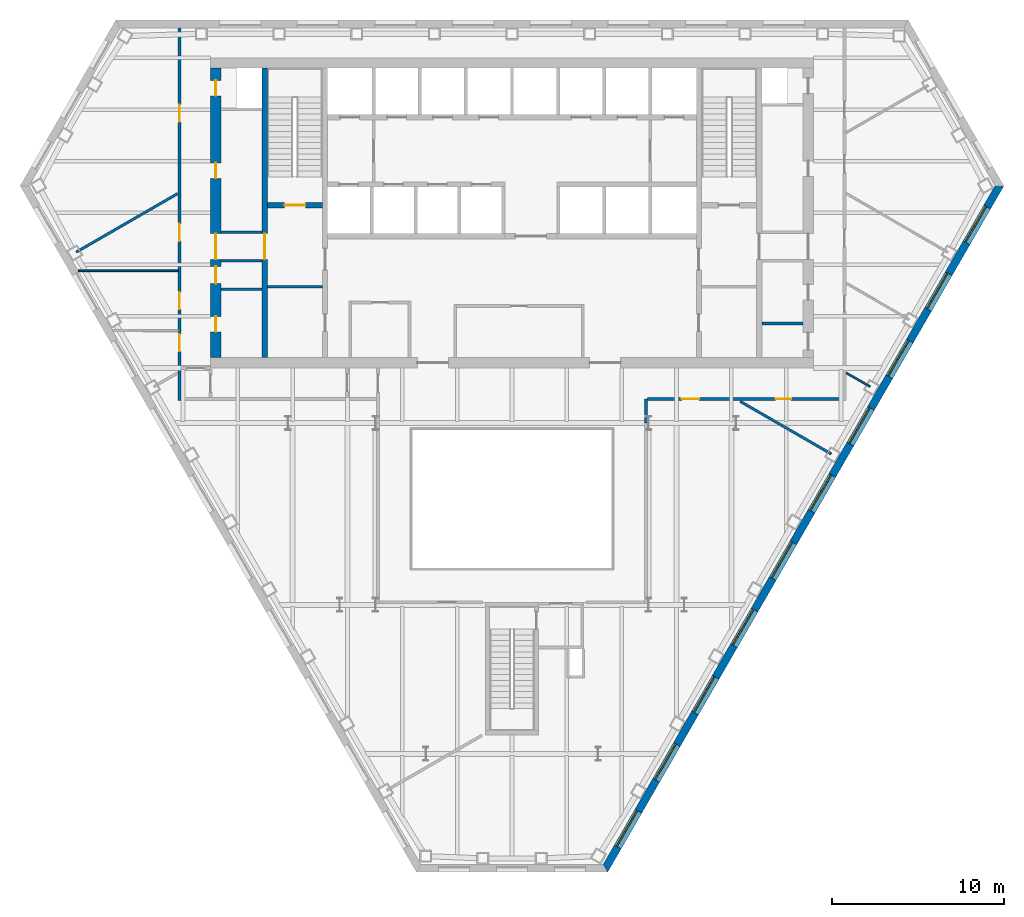
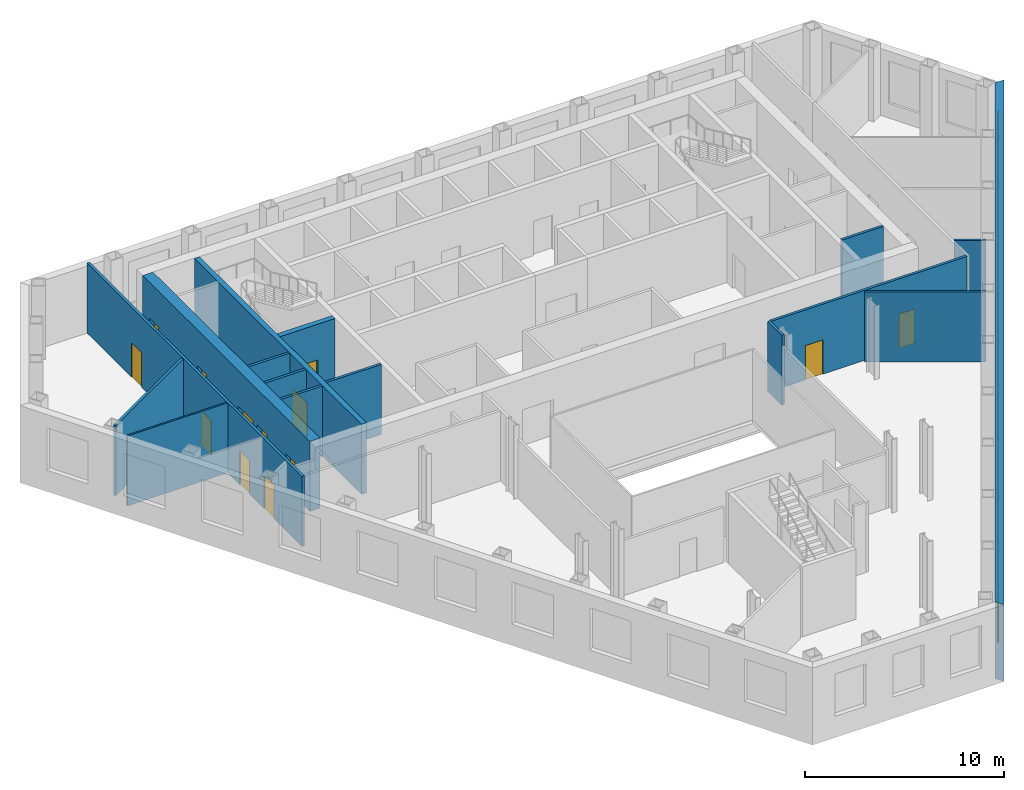
# One storey, part 5 of 11: 16 walls, 13 doors, 10 windows, 23 openings.
"""IFC4 building model written with IfcOpenShell, lengths in metres."""

from ifc_helpers import new_model, si_unit, direction, frame, frame_2d, origin, place, context, subcontext, project, spatial, polyline, rectangle, outline, extrude, material, layer, layer_set, type_object, element, fill, save


model = new_model("IFC4")

# Units and contexts
model_context = context("Model", 3, precision=1e-05, world=origin(), true_north=direction((0.0, 1.0)))
body_context = subcontext(model_context, "Body", "Model", "MODEL_VIEW")
ifc_project = project(units=[si_unit("LENGTHUNIT", "METRE"), si_unit("AREAUNIT", "SQUARE_METRE"), si_unit("VOLUMEUNIT", "CUBIC_METRE"), si_unit("PLANEANGLEUNIT", "RADIAN"), si_unit("MASSUNIT", "GRAM", prefix="KILO")], contexts=[model_context])

# Site, building, storey
site_placement = place(None, origin())
site = spatial("IfcSite", under=ifc_project, at=site_placement, CompositionType="ELEMENT")
building_placement = place(site_placement, origin())
building = spatial("IfcBuilding", under=site, at=building_placement, Name="Njiva Tower", CompositionType="ELEMENT")
storey_placement = place(building_placement, frame((0.0, 0.0, 64.8)))
storey = spatial("IfcBuildingStorey", under=building, at=storey_placement, Name="L13", CompositionType="ELEMENT", Elevation=64.8)

# Walls
ifc_material_1 = material(Name="Blockwork", Category="masonry")
ifc_layer_1 = layer(ifc_material_1, 0.15)
ifc_layer_set_1 = layer_set([ifc_layer_1], Name="Blockwork")
wall_type_1 = type_object("IfcWallType", Name="WT1 Compartment partition 150", PredefinedType="PARTITIONING", material=ifc_layer_set_1)
wall_1_placement = place(storey_placement, frame((-14.2, 4.725, 0.0), z_axis=(0.0, 0.0, 1.0), x_axis=(1.0, 0.0, 0.0)))
element("IfcWall", 1, at=wall_1_placement, inside=storey, type_object=wall_type_1, Name="Room wall A", PredefinedType="PARTITIONING", context=body_context, shape_type="SweptSolid", body=[
    extrude(rectangle(XDim=3.2, YDim=0.15, at=frame_2d((1.6, 0.0))), origin(), (0.0, 0.0, 1.0), 4.3),
])
for number, where, z_axis, x_axis, name in (
    (2, (-16.9, 4.575, 0.0), (0.0, 0.0, 1.0), (1.0, 0.0, 0.0), "Partition strip W00"),
    (3, (14.5, 2.5835, 0.0), (0.0, 0.0, 1.0), (1.0, 0.0, 0.0), "Partition strip E00"),
):
    element("IfcWall", number, at=place(storey_placement, frame(where, z_axis=z_axis, x_axis=x_axis)), inside=storey, type_object=wall_type_1, Name=name, PredefinedType="PARTITIONING", context=body_context, shape_type="SweptSolid", body=[
        extrude(rectangle(XDim=2.4, YDim=0.15, at=frame_2d((1.2, 0.0))), origin(), (0.0, 0.0, 1.0), 4.3),
    ])

# Wall, opening, door
ifc_material_2 = material(Name="Concrete C40/50", Category="concrete")
ifc_layer_2 = layer(ifc_material_2, 0.3)
ifc_layer_set_2 = layer_set([ifc_layer_2], Name="Concrete C40/50")
wall_type_2 = type_object("IfcWallType", Name="WT10 Stair enclosure wall 300", PredefinedType="SHEAR", material=ifc_layer_set_2)
wall_2_placement = place(storey_placement, frame((-14.35, 0.6, 0.0), z_axis=(0.0, 0.0, 1.0), x_axis=(0.0, 1.0, 0.0)))
wall_2 = element("IfcWall", 4, at=wall_2_placement, inside=storey, type_object=wall_type_2, Name="Stair wall west outer", PredefinedType="SHEAR", context=body_context, shape_type="SweptSolid", body=[
    extrude(rectangle(XDim=16.8, YDim=0.3, at=frame_2d((8.4, 0.0))), origin(), (0.0, 0.0, 1.0), 4.3),
])
opening_1_placement = place(wall_2_placement, frame((5.7, 0.0, 0.0)))
opening_1 = element("IfcOpeningElement", 5, at=opening_1_placement, cuts=wall_2, Name="Opening S04-D920", PredefinedType="OPENING", context=body_context, shape_type="SweptSolid", body=[
    extrude(rectangle(XDim=1.5, YDim=2.1, at=frame_2d((0.75, 1.05))), frame((0.0, 0.16, 0.0), z_axis=(0.0, -1.0, 0.0), x_axis=(1.0, 0.0, 0.0)), (0.0, 0.0, 1.0), 0.32),
])
ifc_material_3 = material(Name="Glazed steel fire door", Category="steel")
door_type_1 = type_object("IfcDoorType", Name="D10 Exit door double 1500x2100 glazed", OperationType="DOUBLE_DOOR_SINGLE_SWING", PredefinedType="DOOR", material=ifc_material_3)
door_1_placement = place(opening_1_placement, origin())
door_1 = element("IfcDoor", 6, at=door_1_placement, inside=storey, type_object=door_type_1, Name="Stair A passage door", OperationType="DOUBLE_DOOR_SINGLE_SWING", OverallHeight=2.1, OverallWidth=1.5, PredefinedType="DOOR", context=body_context, shape_type="SweptSolid", body=[
    extrude(rectangle(XDim=1.5, YDim=2.1, at=frame_2d((0.75, 1.05))), frame((0.0, 0.025, 0.0), z_axis=(0.0, -1.0, 0.0), x_axis=(1.0, 0.0, 0.0)), (0.0, 0.0, 1.0), 0.05),
])
fill(opening_1, door_1)

wall_3_placement = place(storey_placement, frame((-14.2, 9.45, 0.0), z_axis=(0.0, 0.0, 1.0), x_axis=(1.0, 0.0, 0.0)))
wall_3 = element("IfcWall", 7, at=wall_3_placement, inside=storey, type_object=wall_type_2, Name="Stair A south wall", PredefinedType="SHEAR", context=body_context, shape_type="SweptSolid", body=[
    extrude(rectangle(XDim=3.2, YDim=0.3, at=frame_2d((1.6, 0.0))), origin(), (0.0, 0.0, 1.0), 4.3),
])
opening_2_placement = place(wall_3_placement, frame((1.0, 0.0, 0.0)))
opening_2 = element("IfcOpeningElement", 8, at=opening_2_placement, cuts=wall_3, Name="Opening S04-D913", PredefinedType="OPENING", context=body_context, shape_type="SweptSolid", body=[
    extrude(rectangle(XDim=1.2, YDim=2.1, at=frame_2d((0.6, 1.05))), frame((0.0, 0.16, 0.0), z_axis=(0.0, -1.0, 0.0), x_axis=(1.0, 0.0, 0.0)), (0.0, 0.0, 1.0), 0.32),
])
door_type_2 = type_object("IfcDoorType", Name="D7 Stair vestibule door 1200x2100 glazed", OperationType="SINGLE_SWING_LEFT", PredefinedType="DOOR", material=ifc_material_3)
door_2_placement = place(opening_2_placement, origin())
door_2 = element("IfcDoor", 9, at=door_2_placement, inside=storey, type_object=door_type_2, Name="Stair A door", OperationType="SINGLE_SWING_LEFT", OverallHeight=2.1, OverallWidth=1.2, PredefinedType="DOOR", context=body_context, shape_type="SweptSolid", body=[
    extrude(rectangle(XDim=1.2, YDim=2.1, at=frame_2d((0.6, 1.05))), frame((0.0, 0.025, 0.0), z_axis=(0.0, -1.0, 0.0), x_axis=(1.0, 0.0, 0.0)), (0.0, 0.0, 1.0), 0.05),
])
fill(opening_2, door_2)

# Wall, openings, doors
ifc_material_4 = material(Name="Concrete C60/75", Category="concrete")
ifc_layer_3 = layer(ifc_material_4, 0.6)
ifc_layer_set_3 = layer_set([ifc_layer_3], Name="Concrete C60/75")
wall_type_3 = type_object("IfcWallType", Name="WT15 Core wall 600", PredefinedType="SHEAR", material=ifc_layer_set_3)
wall_4_placement = place(storey_placement, frame((-17.2, 0.6, 0.0), z_axis=(0.0, 0.0, 1.0), x_axis=(0.0, 1.0, 0.0)))
wall_4 = element("IfcWall", 10, at=wall_4_placement, inside=storey, type_object=wall_type_3, Name="Core wall west", PredefinedType="SHEAR", context=body_context, shape_type="SweptSolid", body=[
    extrude(rectangle(XDim=16.8, YDim=0.6, at=frame_2d((8.4, 0.0))), origin(), (0.0, 0.0, 1.0), 4.3),
])
opening_3_placement = place(wall_4_placement, frame((5.7, 0.0, 0.0)))
opening_3 = element("IfcOpeningElement", 11, at=opening_3_placement, cuts=wall_4, Name="Opening S04-D921", PredefinedType="OPENING", context=body_context, shape_type="SweptSolid", body=[
    extrude(rectangle(XDim=1.5, YDim=2.1, at=frame_2d((0.75, 1.05))), frame((0.0, 0.31, 0.0), z_axis=(0.0, -1.0, 0.0), x_axis=(1.0, 0.0, 0.0)), (0.0, 0.0, 1.0), 0.62),
])
opening_4_placement = place(wall_4_placement, frame((1.5, 0.0, 0.0)))
opening_4 = element("IfcOpeningElement", 12, at=opening_4_placement, cuts=wall_4, Name="Opening S04-D922", PredefinedType="OPENING", context=body_context, shape_type="SweptSolid", body=[
    extrude(rectangle(XDim=0.9, YDim=2.1, at=frame_2d((0.45, 1.05))), frame((0.0, 0.31, 0.0), z_axis=(0.0, -1.0, 0.0), x_axis=(1.0, 0.0, 0.0)), (0.0, 0.0, 1.0), 0.62),
])
opening_5_placement = place(wall_4_placement, frame((4.3, 0.0, 0.0)))
opening_5 = element("IfcOpeningElement", 13, at=opening_5_placement, cuts=wall_4, Name="Opening S04-D923", PredefinedType="OPENING", context=body_context, shape_type="SweptSolid", body=[
    extrude(rectangle(XDim=1.0, YDim=2.1, at=frame_2d((0.5, 1.05))), frame((0.0, 0.31, 0.0), z_axis=(0.0, -1.0, 0.0), x_axis=(1.0, 0.0, 0.0)), (0.0, 0.0, 1.0), 0.62),
])
opening_6_placement = place(wall_4_placement, frame((10.4017, 0.0, 0.0)))
opening_6 = element("IfcOpeningElement", 14, at=opening_6_placement, cuts=wall_4, Name="Opening S04-D924", PredefinedType="OPENING", context=body_context, shape_type="SweptSolid", body=[
    extrude(rectangle(XDim=0.9, YDim=2.1, at=frame_2d((0.45, 1.05))), frame((0.0, 0.31, 0.0), z_axis=(0.0, -1.0, 0.0), x_axis=(1.0, 0.0, 0.0)), (0.0, 0.0, 1.0), 0.62),
])
opening_7_placement = place(wall_4_placement, frame((15.2017, 0.0, 0.0)))
opening_7 = element("IfcOpeningElement", 15, at=opening_7_placement, cuts=wall_4, Name="Opening S04-D925", PredefinedType="OPENING", context=body_context, shape_type="SweptSolid", body=[
    extrude(rectangle(XDim=0.9, YDim=2.1, at=frame_2d((0.45, 1.05))), frame((0.0, 0.31, 0.0), z_axis=(0.0, -1.0, 0.0), x_axis=(1.0, 0.0, 0.0)), (0.0, 0.0, 1.0), 0.62),
])
door_3_placement = place(opening_3_placement, origin())
door_3 = element("IfcDoor", 16, at=door_3_placement, inside=storey, type_object=door_type_1, Name="Stair A corridor door", OperationType="DOUBLE_DOOR_SINGLE_SWING", OverallHeight=2.1, OverallWidth=1.5, PredefinedType="DOOR", context=body_context, shape_type="SweptSolid", body=[
    extrude(rectangle(XDim=1.5, YDim=2.1, at=frame_2d((0.75, 1.05))), frame((0.0, 0.025, 0.0), z_axis=(0.0, -1.0, 0.0), x_axis=(1.0, 0.0, 0.0)), (0.0, 0.0, 1.0), 0.05),
])
fill(opening_3, door_3)
ifc_material_5 = material(Name="Steel door, painted", Category="steel")
door_type_3 = type_object("IfcDoorType", Name="D4 Riser door 900x2100", OperationType="SINGLE_SWING_LEFT", PredefinedType="DOOR", material=ifc_material_5)
door_4_placement = place(opening_7_placement, origin())
door_4 = element("IfcDoor", 17, at=door_4_placement, inside=storey, type_object=door_type_3, Name="Riser door", OperationType="SINGLE_SWING_LEFT", OverallHeight=2.1, OverallWidth=0.9, PredefinedType="DOOR", context=body_context, shape_type="SweptSolid", body=[
    extrude(rectangle(XDim=0.9, YDim=2.1, at=frame_2d((0.45, 1.05))), frame((0.0, 0.025, 0.0), z_axis=(0.0, -1.0, 0.0), x_axis=(1.0, 0.0, 0.0)), (0.0, 0.0, 1.0), 0.05),
])
fill(opening_7, door_4)
door_type_4 = type_object("IfcDoorType", Name="D5 Steel door 1000x2100", OperationType="SINGLE_SWING_LEFT", PredefinedType="DOOR", material=ifc_material_5)
door_5_placement = place(opening_5_placement, origin())
door_5 = element("IfcDoor", 18, at=door_5_placement, inside=storey, type_object=door_type_4, Name="Electrical room door", OperationType="SINGLE_SWING_LEFT", OverallHeight=2.1, OverallWidth=1.0, PredefinedType="DOOR", context=body_context, shape_type="SweptSolid", body=[
    extrude(rectangle(XDim=1.0, YDim=2.1, at=frame_2d((0.5, 1.05))), frame((0.0, 0.025, 0.0), z_axis=(0.0, -1.0, 0.0), x_axis=(1.0, 0.0, 0.0)), (0.0, 0.0, 1.0), 0.05),
])
fill(opening_5, door_5)
ifc_material_6 = material(Name="Steel fire door, painted", Category="steel")
door_type_5 = type_object("IfcDoorType", Name="D6 Fire-rated door 900x2100", OperationType="SINGLE_SWING_LEFT", PredefinedType="DOOR", material=ifc_material_6)
door_6_placement = place(opening_4_placement, origin())
door_6 = element("IfcDoor", 19, at=door_6_placement, inside=storey, type_object=door_type_5, Name="Business centre door", OperationType="SINGLE_SWING_LEFT", OverallHeight=2.1, OverallWidth=0.9, PredefinedType="DOOR", context=body_context, shape_type="SweptSolid", body=[
    extrude(rectangle(XDim=0.9, YDim=2.1, at=frame_2d((0.45, 1.05))), frame((0.0, 0.025, 0.0), z_axis=(0.0, -1.0, 0.0), x_axis=(1.0, 0.0, 0.0)), (0.0, 0.0, 1.0), 0.05),
])
fill(opening_4, door_6)
door_7_placement = place(opening_6_placement, origin())
door_7 = element("IfcDoor", 20, at=door_7_placement, inside=storey, type_object=door_type_5, Name="Meeting room door", OperationType="SINGLE_SWING_RIGHT", OverallHeight=2.1, OverallWidth=0.9, PredefinedType="DOOR", context=body_context, shape_type="SweptSolid", body=[
    extrude(rectangle(XDim=0.9, YDim=2.1, at=frame_2d((0.45, 1.05))), frame((0.0, 0.025, 0.0), z_axis=(0.0, -1.0, 0.0), x_axis=(1.0, 0.0, 0.0)), (0.0, 0.0, 1.0), 0.05),
])
fill(opening_6, door_7)

# Walls
ifc_material_7 = material(Name="Gypsum board on steel studs", Category="gypsum")
ifc_layer_4 = layer(ifc_material_7, 0.1)
ifc_layer_set_4 = layer_set([ifc_layer_4], Name="Gypsum board on steel studs")
wall_type_4 = type_object("IfcWallType", Name="WT20 Gypsum partition 100", PredefinedType="PARTITIONING", material=ifc_layer_set_4)
wall_5_placement = place(storey_placement, frame((-25.192, 5.646, 0.0), z_axis=(0.0, 0.0, 1.0), x_axis=(1.0, 0.0, 0.0)))
element("IfcWall", 21, at=wall_5_placement, inside=storey, type_object=wall_type_4, Name="Partition S04-P002", PredefinedType="PARTITIONING", context=body_context, shape_type="SweptSolid", body=[
    extrude(rectangle(XDim=5.817, YDim=0.1, at=frame_2d((2.9085, 0.0))), origin(), (0.0, 0.0, 1.0), 4.3),
])
wall_6_placement = place(storey_placement, frame((19.4, -0.285, 0.0), z_axis=(0.0, 0.0, 1.0), x_axis=(0.866237568633, -0.499632339514, 0.0)))
element("IfcWall", 22, at=wall_6_placement, inside=storey, type_object=wall_type_4, Name="Partition S04-P019", PredefinedType="PARTITIONING", context=body_context, shape_type="SweptSolid", body=[
    extrude(rectangle(XDim=1.6012, YDim=0.1, at=frame_2d((0.8006, 0.0))), origin(), (0.0, 0.0, 1.0), 4.3),
])
ifc_layer_5 = layer(ifc_material_7, 0.15)
ifc_layer_set_5 = layer_set([ifc_layer_5], Name="Gypsum board on steel studs")
wall_type_5 = type_object("IfcWallType", Name="WT21 Compartment wall 150", PredefinedType="PARTITIONING", material=ifc_layer_set_5)
wall_7_placement = place(storey_placement, frame((-25.296, 6.725, 0.0), z_axis=(0.0, 0.0, 1.0), x_axis=(0.866161077876, 0.499764931915, 0.0)))
element("IfcWall", 23, at=wall_7_placement, inside=storey, type_object=wall_type_5, Name="Partition S04-P001", PredefinedType="PARTITIONING", context=body_context, shape_type="SweptSolid", body=[
    extrude(rectangle(XDim=6.7932, YDim=0.15, at=frame_2d((3.3966, 0.0))), origin(), (0.0, 0.0, 1.0), 4.3),
])

# Wall, openings, doors
wall_8_placement = place(storey_placement, frame((-19.3, -1.875, 0.0), z_axis=(0.0, 0.0, 1.0), x_axis=(0.0, 1.0, 0.0)))
wall_8 = element("IfcWall", 24, at=wall_8_placement, inside=storey, type_object=wall_type_5, Name="Partition S04-P005", PredefinedType="PARTITIONING", context=body_context, shape_type="SweptSolid", body=[
    extrude(rectangle(XDim=21.623, YDim=0.15, at=frame_2d((10.8115, 0.0))), origin(), (0.0, 0.0, 1.0), 4.3),
])
opening_8_placement = place(wall_8_placement, frame((2.839, 0.0, 0.0)))
opening_8 = element("IfcOpeningElement", 25, at=opening_8_placement, cuts=wall_8, Name="Opening S04-D001", PredefinedType="OPENING", context=body_context, shape_type="SweptSolid", body=[
    extrude(rectangle(XDim=1.0, YDim=2.1, at=frame_2d((0.5, 1.05))), frame((0.0, 0.085, 0.0), z_axis=(0.0, -1.0, 0.0), x_axis=(1.0, 0.0, 0.0)), (0.0, 0.0, 1.0), 0.17),
])
opening_9_placement = place(wall_8_placement, frame((5.28, 0.0, 0.0)))
opening_9 = element("IfcOpeningElement", 26, at=opening_9_placement, cuts=wall_8, Name="Opening S04-D002", PredefinedType="OPENING", context=body_context, shape_type="SweptSolid", body=[
    extrude(rectangle(XDim=1.0, YDim=2.1, at=frame_2d((0.5, 1.05))), frame((0.0, 0.085, 0.0), z_axis=(0.0, -1.0, 0.0), x_axis=(1.0, 0.0, 0.0)), (0.0, 0.0, 1.0), 0.17),
])
opening_10_placement = place(wall_8_placement, frame((9.239, 0.0, 0.0)))
opening_10 = element("IfcOpeningElement", 27, at=opening_10_placement, cuts=wall_8, Name="Opening S04-D003", PredefinedType="OPENING", context=body_context, shape_type="SweptSolid", body=[
    extrude(rectangle(XDim=1.0, YDim=2.1, at=frame_2d((0.5, 1.05))), frame((0.0, 0.085, 0.0), z_axis=(0.0, -1.0, 0.0), x_axis=(1.0, 0.0, 0.0)), (0.0, 0.0, 1.0), 0.17),
])
opening_11_placement = place(wall_8_placement, frame((16.167, 0.0, 0.0)))
opening_11 = element("IfcOpeningElement", 28, at=opening_11_placement, cuts=wall_8, Name="Opening S04-D004", PredefinedType="OPENING", context=body_context, shape_type="SweptSolid", body=[
    extrude(rectangle(XDim=1.0, YDim=2.1, at=frame_2d((0.5, 1.05))), frame((0.0, 0.085, 0.0), z_axis=(0.0, -1.0, 0.0), x_axis=(1.0, 0.0, 0.0)), (0.0, 0.0, 1.0), 0.17),
])
ifc_material_8 = material(Name="Steel fire door set", Category="steel")
door_type_6 = type_object("IfcDoorType", Name="D37 Fire door 1000x2100", OperationType="SINGLE_SWING_LEFT", PredefinedType="DOOR", material=ifc_material_8)
door_8_placement = place(opening_8_placement, origin())
door_8 = element("IfcDoor", 29, at=door_8_placement, inside=storey, type_object=door_type_6, Name="Door S04-D001", OperationType="SINGLE_SWING_RIGHT", OverallHeight=2.1, OverallWidth=1.0, PredefinedType="DOOR", context=body_context, shape_type="SweptSolid", body=[
    extrude(rectangle(XDim=1.0, YDim=2.1, at=frame_2d((0.5, 1.05))), frame((0.0, 0.025, 0.0), z_axis=(0.0, -1.0, 0.0), x_axis=(1.0, 0.0, 0.0)), (0.0, 0.0, 1.0), 0.05),
])
fill(opening_8, door_8)
door_9_placement = place(opening_9_placement, origin())
door_9 = element("IfcDoor", 30, at=door_9_placement, inside=storey, type_object=door_type_6, Name="Door S04-D002", OperationType="SINGLE_SWING_RIGHT", OverallHeight=2.1, OverallWidth=1.0, PredefinedType="DOOR", context=body_context, shape_type="SweptSolid", body=[
    extrude(rectangle(XDim=1.0, YDim=2.1, at=frame_2d((0.5, 1.05))), frame((0.0, 0.025, 0.0), z_axis=(0.0, -1.0, 0.0), x_axis=(1.0, 0.0, 0.0)), (0.0, 0.0, 1.0), 0.05),
])
fill(opening_9, door_9)
door_10_placement = place(opening_10_placement, origin())
door_10 = element("IfcDoor", 31, at=door_10_placement, inside=storey, type_object=door_type_6, Name="Door S04-D003", OperationType="SINGLE_SWING_RIGHT", OverallHeight=2.1, OverallWidth=1.0, PredefinedType="DOOR", context=body_context, shape_type="SweptSolid", body=[
    extrude(rectangle(XDim=1.0, YDim=2.1, at=frame_2d((0.5, 1.05))), frame((0.0, 0.025, 0.0), z_axis=(0.0, -1.0, 0.0), x_axis=(1.0, 0.0, 0.0)), (0.0, 0.0, 1.0), 0.05),
])
fill(opening_10, door_10)
door_11_placement = place(opening_11_placement, origin())
door_11 = element("IfcDoor", 32, at=door_11_placement, inside=storey, type_object=door_type_6, Name="Door S04-D004", OperationType="SINGLE_SWING_LEFT", OverallHeight=2.1, OverallWidth=1.0, PredefinedType="DOOR", context=body_context, shape_type="SweptSolid", body=[
    extrude(rectangle(XDim=1.0, YDim=2.1, at=frame_2d((0.5, 1.05))), frame((0.0, 0.025, 0.0), z_axis=(0.0, -1.0, 0.0), x_axis=(1.0, 0.0, 0.0)), (0.0, 0.0, 1.0), 0.05),
])
fill(opening_11, door_11)

# Wall
wall_9_placement = place(storey_placement, frame((7.78, -3.2, 0.0), z_axis=(0.0, 0.0, 1.0), x_axis=(0.0, 1.0, 0.0)))
element("IfcWall", 33, at=wall_9_placement, inside=storey, type_object=wall_type_5, Name="Partition S04-P014A", PredefinedType="PARTITIONING", context=body_context, shape_type="SweptSolid", body=[
    extrude(rectangle(XDim=1.412, YDim=0.15, at=frame_2d((0.706, 0.0))), origin(), (0.0, 0.0, 1.0), 4.3),
])

# Wall, openings, doors
wall_10_placement = place(storey_placement, frame((7.855, -1.8, 0.0), z_axis=(0.0, 0.0, 1.0), x_axis=(1.0, 0.0, 0.0)))
wall_10 = element("IfcWall", 34, at=wall_10_placement, inside=storey, type_object=wall_type_5, Name="Partition S04-P015", PredefinedType="PARTITIONING", context=body_context, shape_type="SweptSolid", body=[
    extrude(rectangle(XDim=11.37, YDim=0.15, at=frame_2d((5.685, 0.0))), origin(), (0.0, 0.0, 1.0), 4.3),
])
opening_12_placement = place(wall_10_placement, frame((2.001, 0.0, 0.0)))
opening_12 = element("IfcOpeningElement", 35, at=opening_12_placement, cuts=wall_10, Name="Opening S04-D010", PredefinedType="OPENING", context=body_context, shape_type="SweptSolid", body=[
    extrude(rectangle(XDim=1.0, YDim=2.1, at=frame_2d((0.5, 1.05))), frame((0.0, 0.085, 0.0), z_axis=(0.0, -1.0, 0.0), x_axis=(1.0, 0.0, 0.0)), (0.0, 0.0, 1.0), 0.17),
])
opening_13_placement = place(wall_10_placement, frame((7.455, 0.0, 0.0)))
opening_13 = element("IfcOpeningElement", 36, at=opening_13_placement, cuts=wall_10, Name="Opening S04-D011", PredefinedType="OPENING", context=body_context, shape_type="SweptSolid", body=[
    extrude(rectangle(XDim=0.9, YDim=2.1, at=frame_2d((0.45, 1.05))), frame((0.0, 0.085, 0.0), z_axis=(0.0, -1.0, 0.0), x_axis=(1.0, 0.0, 0.0)), (0.0, 0.0, 1.0), 0.17),
])
door_type_7 = type_object("IfcDoorType", Name="D36 Fire door 900x2100", OperationType="SINGLE_SWING_LEFT", PredefinedType="DOOR", material=ifc_material_8)
door_12_placement = place(opening_13_placement, origin())
door_12 = element("IfcDoor", 37, at=door_12_placement, inside=storey, type_object=door_type_7, Name="Door S04-D011", OperationType="SINGLE_SWING_RIGHT", OverallHeight=2.1, OverallWidth=0.9, PredefinedType="DOOR", context=body_context, shape_type="SweptSolid", body=[
    extrude(rectangle(XDim=0.9, YDim=2.1, at=frame_2d((0.45, 1.05))), frame((0.0, 0.025, 0.0), z_axis=(0.0, -1.0, 0.0), x_axis=(1.0, 0.0, 0.0)), (0.0, 0.0, 1.0), 0.05),
])
fill(opening_13, door_12)
door_13_placement = place(opening_12_placement, origin())
door_13 = element("IfcDoor", 38, at=door_13_placement, inside=storey, type_object=door_type_6, Name="Door S04-D010", OperationType="SINGLE_SWING_LEFT", OverallHeight=2.1, OverallWidth=1.0, PredefinedType="DOOR", context=body_context, shape_type="SweptSolid", body=[
    extrude(rectangle(XDim=1.0, YDim=2.1, at=frame_2d((0.5, 1.05))), frame((0.0, 0.025, 0.0), z_axis=(0.0, -1.0, 0.0), x_axis=(1.0, 0.0, 0.0)), (0.0, 0.0, 1.0), 0.05),
])
fill(opening_12, door_13)

# Walls
wall_11_placement = place(storey_placement, frame((13.249, -1.94, 0.0), z_axis=(0.0, 0.0, 1.0), x_axis=(0.866035445757, -0.49998260639, 0.0)))
element("IfcWall", 39, at=wall_11_placement, inside=storey, type_object=wall_type_5, Name="Partition S04-P016", PredefinedType="PARTITIONING", context=body_context, shape_type="SweptSolid", body=[
    extrude(rectangle(XDim=6.1002, YDim=0.15, at=frame_2d((3.0501, 0.0))), origin(), (0.0, 0.0, 1.0), 4.3),
])
ifc_layer_6 = layer(ifc_material_1, 0.15)
ifc_layer_set_6 = layer_set([ifc_layer_6], Name="Blockwork")
wall_type_6 = type_object("IfcWallType", Name="WT4 Stair partition 150", PredefinedType="PARTITIONING", material=ifc_layer_set_6)
for number, where, z_axis, x_axis, name in (
    (40, (-16.9, 6.225, 0.0), (0.0, 0.0, 1.0), (1.0, 0.0, 0.0), "Stair A exit passage wall south"),
    (41, (-16.9, 7.875, 0.0), (0.0, 0.0, 1.0), (1.0, 0.0, 0.0), "Stair A exit passage wall north"),
):
    element("IfcWall", number, at=place(storey_placement, frame(where, z_axis=z_axis, x_axis=x_axis)), inside=storey, type_object=wall_type_6, Name=name, PredefinedType="PARTITIONING", context=body_context, shape_type="SweptSolid", body=[
        extrude(rectangle(XDim=2.4, YDim=0.15, at=frame_2d((1.2, 0.0))), origin(), (0.0, 0.0, 1.0), 4.3),
    ])

# Wall, openings, windows
ifc_material_9 = material(Name="Brick masonry", Category="masonry")
ifc_layer_7 = layer(ifc_material_9, 0.45)
ifc_layer_set_7 = layer_set([ifc_layer_7], Name="Brick masonry")
wall_type_7 = type_object("IfcWallType", Name="WT90 Brick pier and spandrel wall 450", PredefinedType="SOLIDWALL", material=ifc_layer_set_7)
wall_12_placement = place(storey_placement, frame((5.4251, -29.0424, -0.4), z_axis=(0.0, 0.0, 1.0), x_axis=(0.499999388847, 0.866025756634, 0.0)))
wall_12 = element("IfcWall", 42, at=wall_12_placement, inside=storey, type_object=wall_type_7, Name="Facade wall SE", PredefinedType="SOLIDWALL", context=body_context, shape_type="SweptSolid", body=[
    extrude(outline(polyline([(-0.1299, -0.225), (45.8802, -0.225), (45.6204, 0.225), (0.1299, 0.225), (-0.1299, -0.225)])), origin(), (0.0, 0.0, 1.0), 4.72),
])
opening_14_placement = place(wall_12_placement, frame((1.4247, 0.0, 1.3)))
opening_14 = element("IfcOpeningElement", 43, at=opening_14_placement, cuts=wall_12, Name="Opening S04-W25", PredefinedType="OPENING", context=body_context, shape_type="SweptSolid", body=[
    extrude(rectangle(XDim=2.4, YDim=2.6, at=frame_2d((1.2, 1.3))), frame((0.0, 0.235, 0.0), z_axis=(0.0, -1.0, 0.0), x_axis=(1.0, 0.0, 0.0)), (0.0, 0.0, 1.0), 0.47),
])
opening_15_placement = place(wall_12_placement, frame((5.8949, 0.0, 1.3)))
opening_15 = element("IfcOpeningElement", 44, at=opening_15_placement, cuts=wall_12, Name="Opening S04-W26", PredefinedType="OPENING", context=body_context, shape_type="SweptSolid", body=[
    extrude(rectangle(XDim=2.4, YDim=2.6, at=frame_2d((1.2, 1.3))), frame((0.0, 0.235, 0.0), z_axis=(0.0, -1.0, 0.0), x_axis=(1.0, 0.0, 0.0)), (0.0, 0.0, 1.0), 0.47),
])
opening_16_placement = place(wall_12_placement, frame((10.4035, 0.0, 1.3)))
opening_16 = element("IfcOpeningElement", 45, at=opening_16_placement, cuts=wall_12, Name="Opening S04-W27", PredefinedType="OPENING", context=body_context, shape_type="SweptSolid", body=[
    extrude(rectangle(XDim=2.4, YDim=2.6, at=frame_2d((1.2, 1.3))), frame((0.0, 0.235, 0.0), z_axis=(0.0, -1.0, 0.0), x_axis=(1.0, 0.0, 0.0)), (0.0, 0.0, 1.0), 0.47),
])
opening_17_placement = place(wall_12_placement, frame((14.9122, 0.0, 1.3)))
opening_17 = element("IfcOpeningElement", 46, at=opening_17_placement, cuts=wall_12, Name="Opening S04-W28", PredefinedType="OPENING", context=body_context, shape_type="SweptSolid", body=[
    extrude(rectangle(XDim=2.4, YDim=2.6, at=frame_2d((1.2, 1.3))), frame((0.0, 0.235, 0.0), z_axis=(0.0, -1.0, 0.0), x_axis=(1.0, 0.0, 0.0)), (0.0, 0.0, 1.0), 0.47),
])
opening_18_placement = place(wall_12_placement, frame((19.4208, 0.0, 1.3)))
opening_18 = element("IfcOpeningElement", 47, at=opening_18_placement, cuts=wall_12, Name="Opening S04-W29", PredefinedType="OPENING", context=body_context, shape_type="SweptSolid", body=[
    extrude(rectangle(XDim=2.4, YDim=2.6, at=frame_2d((1.2, 1.3))), frame((0.0, 0.235, 0.0), z_axis=(0.0, -1.0, 0.0), x_axis=(1.0, 0.0, 0.0)), (0.0, 0.0, 1.0), 0.47),
])
opening_19_placement = place(wall_12_placement, frame((23.9294, 0.0, 1.3)))
opening_19 = element("IfcOpeningElement", 48, at=opening_19_placement, cuts=wall_12, Name="Opening S04-W30", PredefinedType="OPENING", context=body_context, shape_type="SweptSolid", body=[
    extrude(rectangle(XDim=2.4, YDim=2.6, at=frame_2d((1.2, 1.3))), frame((0.0, 0.235, 0.0), z_axis=(0.0, -1.0, 0.0), x_axis=(1.0, 0.0, 0.0)), (0.0, 0.0, 1.0), 0.47),
])
opening_20_placement = place(wall_12_placement, frame((28.438, 0.0, 1.3)))
opening_20 = element("IfcOpeningElement", 49, at=opening_20_placement, cuts=wall_12, Name="Opening S04-W31", PredefinedType="OPENING", context=body_context, shape_type="SweptSolid", body=[
    extrude(rectangle(XDim=2.4, YDim=2.6, at=frame_2d((1.2, 1.3))), frame((0.0, 0.235, 0.0), z_axis=(0.0, -1.0, 0.0), x_axis=(1.0, 0.0, 0.0)), (0.0, 0.0, 1.0), 0.47),
])
opening_21_placement = place(wall_12_placement, frame((32.9466, 0.0, 1.3)))
opening_21 = element("IfcOpeningElement", 50, at=opening_21_placement, cuts=wall_12, Name="Opening S04-W32", PredefinedType="OPENING", context=body_context, shape_type="SweptSolid", body=[
    extrude(rectangle(XDim=2.4, YDim=2.6, at=frame_2d((1.2, 1.3))), frame((0.0, 0.235, 0.0), z_axis=(0.0, -1.0, 0.0), x_axis=(1.0, 0.0, 0.0)), (0.0, 0.0, 1.0), 0.47),
])
opening_22_placement = place(wall_12_placement, frame((37.4553, 0.0, 1.3)))
opening_22 = element("IfcOpeningElement", 51, at=opening_22_placement, cuts=wall_12, Name="Opening S04-W33", PredefinedType="OPENING", context=body_context, shape_type="SweptSolid", body=[
    extrude(rectangle(XDim=2.4, YDim=2.6, at=frame_2d((1.2, 1.3))), frame((0.0, 0.235, 0.0), z_axis=(0.0, -1.0, 0.0), x_axis=(1.0, 0.0, 0.0)), (0.0, 0.0, 1.0), 0.47),
])
opening_23_placement = place(wall_12_placement, frame((41.9255, 0.0, 1.3)))
opening_23 = element("IfcOpeningElement", 52, at=opening_23_placement, cuts=wall_12, Name="Opening S04-W34", PredefinedType="OPENING", context=body_context, shape_type="SweptSolid", body=[
    extrude(rectangle(XDim=2.4, YDim=2.6, at=frame_2d((1.2, 1.3))), frame((0.0, 0.235, 0.0), z_axis=(0.0, -1.0, 0.0), x_axis=(1.0, 0.0, 0.0)), (0.0, 0.0, 1.0), 0.47),
])
ifc_material_10 = material(Name="Clear glazing in aluminium frame", Category="aluminium")
window_type = type_object("IfcWindowType", Name="W92 Deep-set window 2400x2600", PartitioningType="SINGLE_PANEL", PredefinedType="WINDOW", material=ifc_material_10)
window_1_placement = place(opening_14_placement, origin())
window_1 = element("IfcWindow", 53, at=window_1_placement, inside=storey, type_object=window_type, Name="Window", OverallHeight=2.6, OverallWidth=2.4, PartitioningType="SINGLE_PANEL", PredefinedType="WINDOW", context=body_context, shape_type="SweptSolid", body=[
    extrude(rectangle(XDim=2.4, YDim=2.6, at=frame_2d((1.2, 1.3))), frame((0.0, 0.105, 0.0), z_axis=(0.0, -1.0, 0.0), x_axis=(1.0, 0.0, 0.0)), (0.0, 0.0, 1.0), 0.06),
])
fill(opening_14, window_1)
window_2_placement = place(opening_15_placement, origin())
window_2 = element("IfcWindow", 54, at=window_2_placement, inside=storey, type_object=window_type, Name="Window", OverallHeight=2.6, OverallWidth=2.4, PartitioningType="SINGLE_PANEL", PredefinedType="WINDOW", context=body_context, shape_type="SweptSolid", body=[
    extrude(rectangle(XDim=2.4, YDim=2.6, at=frame_2d((1.2, 1.3))), frame((0.0, 0.105, 0.0), z_axis=(0.0, -1.0, 0.0), x_axis=(1.0, 0.0, 0.0)), (0.0, 0.0, 1.0), 0.06),
])
fill(opening_15, window_2)
window_3_placement = place(opening_16_placement, origin())
window_3 = element("IfcWindow", 55, at=window_3_placement, inside=storey, type_object=window_type, Name="Window", OverallHeight=2.6, OverallWidth=2.4, PartitioningType="SINGLE_PANEL", PredefinedType="WINDOW", context=body_context, shape_type="SweptSolid", body=[
    extrude(rectangle(XDim=2.4, YDim=2.6, at=frame_2d((1.2, 1.3))), frame((0.0, 0.105, 0.0), z_axis=(0.0, -1.0, 0.0), x_axis=(1.0, 0.0, 0.0)), (0.0, 0.0, 1.0), 0.06),
])
fill(opening_16, window_3)
window_4_placement = place(opening_17_placement, origin())
window_4 = element("IfcWindow", 56, at=window_4_placement, inside=storey, type_object=window_type, Name="Window", OverallHeight=2.6, OverallWidth=2.4, PartitioningType="SINGLE_PANEL", PredefinedType="WINDOW", context=body_context, shape_type="SweptSolid", body=[
    extrude(rectangle(XDim=2.4, YDim=2.6, at=frame_2d((1.2, 1.3))), frame((0.0, 0.105, 0.0), z_axis=(0.0, -1.0, 0.0), x_axis=(1.0, 0.0, 0.0)), (0.0, 0.0, 1.0), 0.06),
])
fill(opening_17, window_4)
window_5_placement = place(opening_18_placement, origin())
window_5 = element("IfcWindow", 57, at=window_5_placement, inside=storey, type_object=window_type, Name="Window", OverallHeight=2.6, OverallWidth=2.4, PartitioningType="SINGLE_PANEL", PredefinedType="WINDOW", context=body_context, shape_type="SweptSolid", body=[
    extrude(rectangle(XDim=2.4, YDim=2.6, at=frame_2d((1.2, 1.3))), frame((0.0, 0.105, 0.0), z_axis=(0.0, -1.0, 0.0), x_axis=(1.0, 0.0, 0.0)), (0.0, 0.0, 1.0), 0.06),
])
fill(opening_18, window_5)
window_6_placement = place(opening_19_placement, origin())
window_6 = element("IfcWindow", 58, at=window_6_placement, inside=storey, type_object=window_type, Name="Window", OverallHeight=2.6, OverallWidth=2.4, PartitioningType="SINGLE_PANEL", PredefinedType="WINDOW", context=body_context, shape_type="SweptSolid", body=[
    extrude(rectangle(XDim=2.4, YDim=2.6, at=frame_2d((1.2, 1.3))), frame((0.0, 0.105, 0.0), z_axis=(0.0, -1.0, 0.0), x_axis=(1.0, 0.0, 0.0)), (0.0, 0.0, 1.0), 0.06),
])
fill(opening_19, window_6)
window_7_placement = place(opening_20_placement, origin())
window_7 = element("IfcWindow", 59, at=window_7_placement, inside=storey, type_object=window_type, Name="Window", OverallHeight=2.6, OverallWidth=2.4, PartitioningType="SINGLE_PANEL", PredefinedType="WINDOW", context=body_context, shape_type="SweptSolid", body=[
    extrude(rectangle(XDim=2.4, YDim=2.6, at=frame_2d((1.2, 1.3))), frame((0.0, 0.105, 0.0), z_axis=(0.0, -1.0, 0.0), x_axis=(1.0, 0.0, 0.0)), (0.0, 0.0, 1.0), 0.06),
])
fill(opening_20, window_7)
window_8_placement = place(opening_21_placement, origin())
window_8 = element("IfcWindow", 60, at=window_8_placement, inside=storey, type_object=window_type, Name="Window", OverallHeight=2.6, OverallWidth=2.4, PartitioningType="SINGLE_PANEL", PredefinedType="WINDOW", context=body_context, shape_type="SweptSolid", body=[
    extrude(rectangle(XDim=2.4, YDim=2.6, at=frame_2d((1.2, 1.3))), frame((0.0, 0.105, 0.0), z_axis=(0.0, -1.0, 0.0), x_axis=(1.0, 0.0, 0.0)), (0.0, 0.0, 1.0), 0.06),
])
fill(opening_21, window_8)
window_9_placement = place(opening_22_placement, origin())
window_9 = element("IfcWindow", 61, at=window_9_placement, inside=storey, type_object=window_type, Name="Window", OverallHeight=2.6, OverallWidth=2.4, PartitioningType="SINGLE_PANEL", PredefinedType="WINDOW", context=body_context, shape_type="SweptSolid", body=[
    extrude(rectangle(XDim=2.4, YDim=2.6, at=frame_2d((1.2, 1.3))), frame((0.0, 0.105, 0.0), z_axis=(0.0, -1.0, 0.0), x_axis=(1.0, 0.0, 0.0)), (0.0, 0.0, 1.0), 0.06),
])
fill(opening_22, window_9)
window_10_placement = place(opening_23_placement, origin())
window_10 = element("IfcWindow", 62, at=window_10_placement, inside=storey, type_object=window_type, Name="Window", OverallHeight=2.6, OverallWidth=2.4, PartitioningType="SINGLE_PANEL", PredefinedType="WINDOW", context=body_context, shape_type="SweptSolid", body=[
    extrude(rectangle(XDim=2.4, YDim=2.6, at=frame_2d((1.2, 1.3))), frame((0.0, 0.105, 0.0), z_axis=(0.0, -1.0, 0.0), x_axis=(1.0, 0.0, 0.0)), (0.0, 0.0, 1.0), 0.06),
])
fill(opening_23, window_10)

save(model, "model.ifc")
